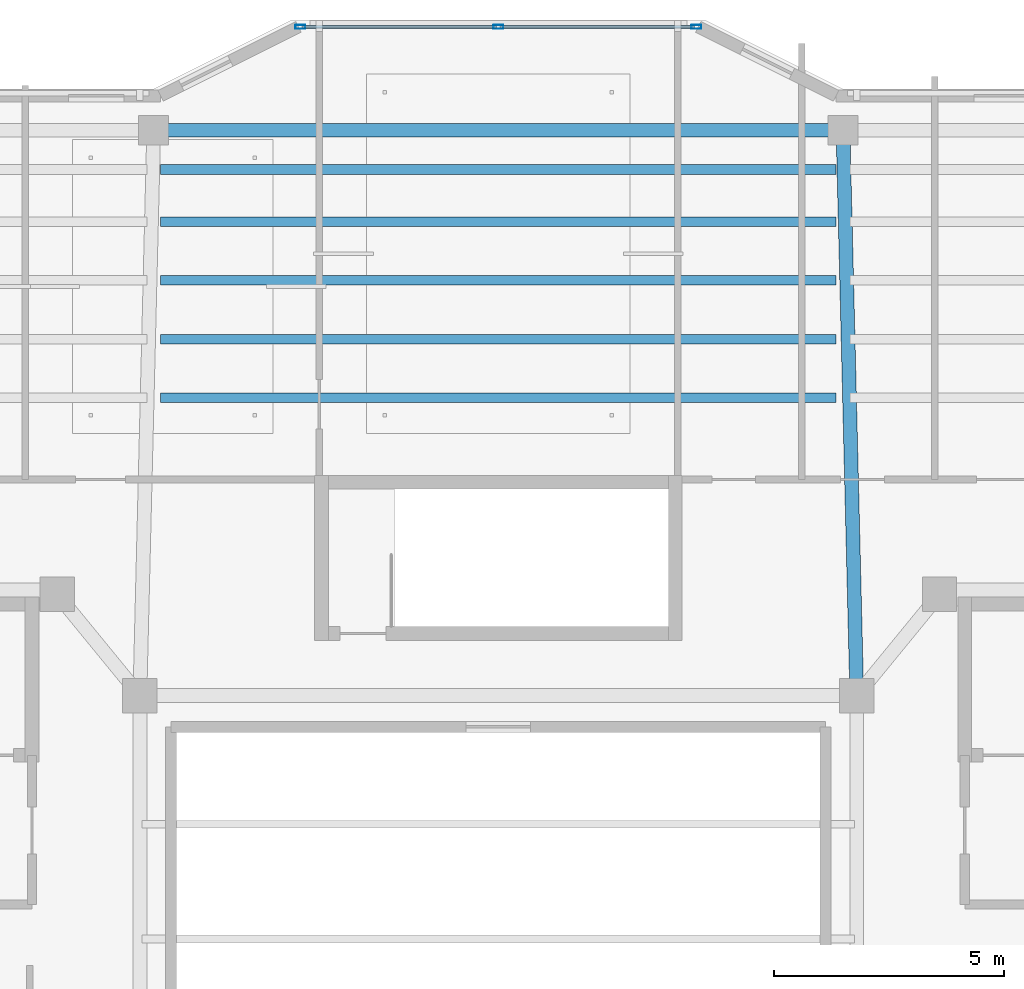
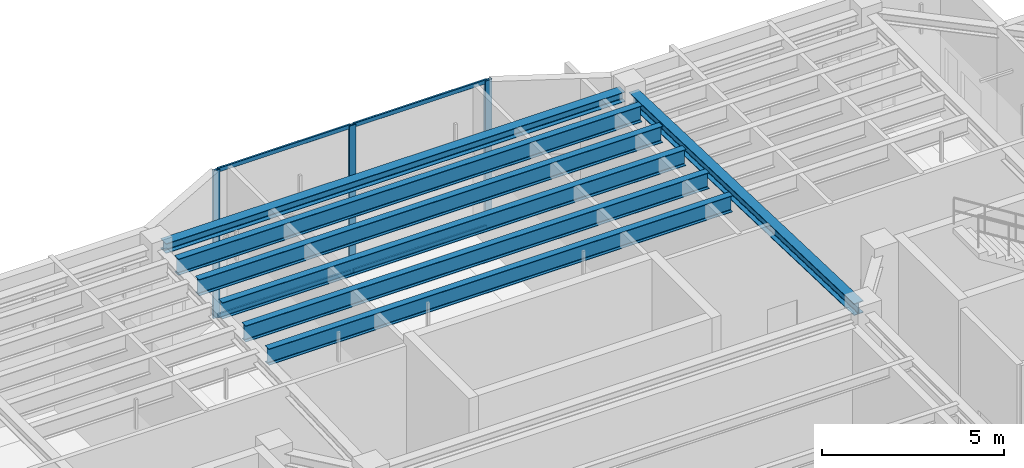
# One storey, part 11 of 23: 7 beams, 7 members, 1 element without a shape of its own.
"""IFC4 building model written with IfcOpenShell, lengths in metres."""

from ifc_helpers import new_model, si_unit, direction, frame, origin, origin_2d, place, context, subcontext, project, spatial, hollow_rectangle, i_section, extrude, material, layer, layer_set, material_profile, profile_set, type_object, element, aggregate, save


model = new_model("IFC4")

# Units and contexts
model_context = context("Model", 3, precision=1e-05, world=origin(), true_north=direction((0.0, 1.0)))
body_context = subcontext(model_context, "Body", "Model", "MODEL_VIEW")
ifc_project = project(units=[si_unit("LENGTHUNIT", "METRE"), si_unit("AREAUNIT", "SQUARE_METRE"), si_unit("VOLUMEUNIT", "CUBIC_METRE"), si_unit("PLANEANGLEUNIT", "RADIAN"), si_unit("MASSUNIT", "GRAM", prefix="KILO")], contexts=[model_context])

# Site, building, storey
site_placement = place(None, origin())
site = spatial("IfcSite", under=ifc_project, at=site_placement, CompositionType="ELEMENT")
building_placement = place(site_placement, origin())
building = spatial("IfcBuilding", under=site, at=building_placement, Name="Tarnavaz Court Tower", CompositionType="ELEMENT")
storey_placement = place(building_placement, frame((0.0, 0.0, 276.300048828125)))
storey = spatial("IfcBuildingStorey", under=building, at=storey_placement, Name="L75", CompositionType="ELEMENT", Elevation=276.300048828125)

# Beams
ifc_material_1 = material(Name="Steel S355", Category="steel")
ifc_material_profile_1 = material_profile(ifc_material_1, i_section(OverallWidth=0.300048828125, OverallDepth=0.39990234375, WebThickness=0.013427734375, FlangeThickness=0.02392578125, FilletRadius=0.027099609375, at=origin_2d()), Name="HEB 400")
ifc_profile_set_1 = profile_set([ifc_material_profile_1], Name="Steel S355")
beam_type_1 = type_object("IfcBeamType", Name="BM-G-HEB400", PredefinedType="USERDEFINED", material=ifc_profile_set_1)
beam_1_placement = place(storey_placement, frame((7.794677734375, 8.02001953125, 4.75), z_axis=(-0.024386002211, 0.99970261723, 0.0), x_axis=(-0.99970261723, -0.024386002211, 0.0)))
element("IfcBeam", 1, at=beam_1_placement, inside=storey, type_object=beam_type_1, Name="L75 Beam RG-03", ObjectType="GIRDER", PredefinedType="USERDEFINED", context=body_context, shape_type="SweptSolid", body=[
    extrude(i_section(OverallWidth=0.300048828125, OverallDepth=0.39990234375, WebThickness=0.013427734375, FlangeThickness=0.02392578125, FilletRadius=0.027099609375, at=origin_2d()), origin(), (0.0, 0.0, 1.0), 11.863525390625),
])
ifc_material_profile_2 = material_profile(ifc_material_1, i_section(OverallWidth=0.2099609375, OverallDepth=0.550048828125, WebThickness=0.010986328125, FlangeThickness=0.01708984375, FilletRadius=0.02392578125, at=origin_2d()), Name="IPE 550")
ifc_profile_set_2 = profile_set([ifc_material_profile_2], Name="Steel S355")
beam_type_2 = type_object("IfcBeamType", Name="BM-J-IPE550", PredefinedType="JOIST", material=ifc_profile_set_2)
for number, where, z_axis, x_axis, name in (
    (2, (-7.35009765625, 14.278076171875, 4.675048828125), (1.0, 0.0, 0.0), (0.0, 1.0, 0.0), "L75 Beam JN1-2"),
    (3, (-7.35009765625, 15.555908203125, 4.675048828125), (1.0, 0.0, 0.0), (0.0, 1.0, 0.0), "L75 Beam JN2-2"),
    (4, (-7.35009765625, 16.833984375, 4.675048828125), (1.0, 0.0, 0.0), (0.0, 1.0, 0.0), "L75 Beam JN3-2"),
    (5, (-7.35009765625, 18.112060546875, 4.675048828125), (1.0, 0.0, 0.0), (0.0, 1.0, 0.0), "L75 Beam JN4-2"),
    (6, (-7.35009765625, 19.248046875, 4.675048828125), (1.0, 0.0, 0.0), (0.0, 1.0, 0.0), "L75 Beam JN5-2"),
):
    element("IfcBeam", number, at=place(storey_placement, frame(where, z_axis=z_axis, x_axis=x_axis)), inside=storey, type_object=beam_type_2, Name=name, PredefinedType="JOIST", context=body_context, shape_type="SweptSolid", body=[
        extrude(i_section(OverallWidth=0.2099609375, OverallDepth=0.550048828125, WebThickness=0.010986328125, FlangeThickness=0.01708984375, FilletRadius=0.02392578125, at=origin_2d()), origin(), (0.0, 0.0, 1.0), 14.7001953125),
    ])
ifc_material_profile_3 = material_profile(ifc_material_1, i_section(OverallWidth=0.300048828125, OverallDepth=0.330078125, WebThickness=0.009521484375, FlangeThickness=0.0166015625, FilletRadius=0.027099609375, at=origin_2d()), Name="HEA 340")
ifc_profile_set_3 = profile_set([ifc_material_profile_3], Name="Steel S355")
beam_type_3 = type_object("IfcBeamType", Name="BM-SP-HEA340", PredefinedType="BEAM", material=ifc_profile_set_3)
beam_2_placement = place(storey_placement, frame((-7.280029296875, 20.10009765625, 4.784912109375), z_axis=(1.0, 0.0, 0.0), x_axis=(0.0, 1.0, 0.0)))
element("IfcBeam", 7, at=beam_2_placement, inside=storey, type_object=beam_type_3, Name="L75 Beam PR-PN-2-PN-3", PredefinedType="BEAM", context=body_context, shape_type="SweptSolid", body=[
    extrude(i_section(OverallWidth=0.300048828125, OverallDepth=0.330078125, WebThickness=0.009521484375, FlangeThickness=0.0166015625, FilletRadius=0.027099609375, at=origin_2d()), origin(), (0.0, 0.0, 1.0), 14.56005859375),
])

# Curtain wall, members
ifc_material_2 = material(Name="Anodised Aluminium 6063-T6 and Solar Low-E Glazing", Category="aluminium")
ifc_layer = layer(ifc_material_2, 0.2099609375)
ifc_layer_set = layer_set([ifc_layer], Name="Anodised Aluminium 6063-T6 and Solar Low-E Glazing")
curtain_wall_type = type_object("IfcCurtainWallType", Name="CW-SYS-06", PredefinedType="NOTDEFINED", material=ifc_layer_set)
curtain_wall_placement = place(storey_placement, origin())
curtain_wall = element("IfcCurtainWall", 8, at=curtain_wall_placement, inside=storey, type_object=curtain_wall_type, Name="L75 Observation Curtain Wall 7", PredefinedType="NOTDEFINED")
ifc_material_3 = material(Name="Anodised Aluminium 6063-T6", Category="aluminium")
ifc_material_profile_4 = material_profile(ifc_material_3, hollow_rectangle(XDim=0.0849609375, YDim=0.219970703125, WallThickness=0.006103515625, InnerFilletRadius=0.006103515625, OuterFilletRadius=0.011962890625, at=origin_2d()), Name="ALU RHS 220X85X6")
ifc_profile_set_4 = profile_set([ifc_material_profile_4], Name="Anodised Aluminium 6063-T6")
member_type_1 = type_object("IfcMemberType", Name="CW-MUL-220", PredefinedType="MULLION", material=ifc_profile_set_4)
member_1_placement = place(storey_placement, frame((-4.3076171875, 22.35009765625, 0.0), z_axis=(0.0, 0.0, 1.0), x_axis=(0.0, 1.0, 0.0)))
member_1 = element("IfcMember", 9, at=member_1_placement, type_object=member_type_1, Name="CW mullion 1", PredefinedType="MULLION", context=body_context, shape_type="SweptSolid", body=[
    extrude(hollow_rectangle(XDim=0.0849609375, YDim=0.219970703125, WallThickness=0.006103515625, InnerFilletRadius=0.006103515625, OuterFilletRadius=0.011962890625, at=origin_2d()), origin(), (0.0, 0.0, 1.0), 4.949951171875),
])
member_2_placement = place(storey_placement, frame((0.0, 22.35009765625, 0.0), z_axis=(0.0, 0.0, 1.0), x_axis=(0.0, 1.0, 0.0)))
member_2 = element("IfcMember", 10, at=member_2_placement, type_object=member_type_1, Name="CW mullion 2", PredefinedType="MULLION", context=body_context, shape_type="SweptSolid", body=[
    extrude(hollow_rectangle(XDim=0.0849609375, YDim=0.219970703125, WallThickness=0.006103515625, InnerFilletRadius=0.006103515625, OuterFilletRadius=0.011962890625, at=origin_2d()), origin(), (0.0, 0.0, 1.0), 4.949951171875),
])
member_3_placement = place(storey_placement, frame((4.3076171875, 22.35009765625, 0.0), z_axis=(0.0, 0.0, 1.0), x_axis=(0.0, 1.0, 0.0)))
member_3 = element("IfcMember", 11, at=member_3_placement, type_object=member_type_1, Name="CW mullion 3", PredefinedType="MULLION", context=body_context, shape_type="SweptSolid", body=[
    extrude(hollow_rectangle(XDim=0.0849609375, YDim=0.219970703125, WallThickness=0.006103515625, InnerFilletRadius=0.006103515625, OuterFilletRadius=0.011962890625, at=origin_2d()), origin(), (0.0, 0.0, 1.0), 4.949951171875),
])
ifc_material_profile_5 = material_profile(ifc_material_3, hollow_rectangle(XDim=0.06494140625, YDim=0.139892578125, WallThickness=0.00390625, InnerFilletRadius=0.00390625, OuterFilletRadius=0.008056640625, at=origin_2d()), Name="ALU RHS 140X65X4")
ifc_profile_set_5 = profile_set([ifc_material_profile_5], Name="Anodised Aluminium 6063-T6")
member_type_2 = type_object("IfcMemberType", Name="CW-TRN-140", PredefinedType="USERDEFINED", material=ifc_profile_set_5)
member_4_placement = place(storey_placement, frame((-4.264892578125, 22.35009765625, 0.032470703125), z_axis=(1.0, 0.0, 0.0), x_axis=(0.0, 1.0, 0.0)))
member_4 = element("IfcMember", 12, at=member_4_placement, type_object=member_type_2, Name="CW transom 1.1", ObjectType="TRANSOM", PredefinedType="USERDEFINED", context=body_context, shape_type="SweptSolid", body=[
    extrude(hollow_rectangle(XDim=0.06494140625, YDim=0.139892578125, WallThickness=0.00390625, InnerFilletRadius=0.00390625, OuterFilletRadius=0.008056640625, at=origin_2d()), origin(), (0.0, 0.0, 1.0), 4.222412109375),
])
member_5_placement = place(storey_placement, frame((-4.264892578125, 22.35009765625, 4.91748046875), z_axis=(1.0, 0.0, 0.0), x_axis=(0.0, 1.0, 0.0)))
member_5 = element("IfcMember", 13, at=member_5_placement, type_object=member_type_2, Name="CW transom 1.2", ObjectType="TRANSOM", PredefinedType="USERDEFINED", context=body_context, shape_type="SweptSolid", body=[
    extrude(hollow_rectangle(XDim=0.06494140625, YDim=0.139892578125, WallThickness=0.00390625, InnerFilletRadius=0.00390625, OuterFilletRadius=0.008056640625, at=origin_2d()), origin(), (0.0, 0.0, 1.0), 4.222412109375),
])
member_6_placement = place(storey_placement, frame((0.04248046875, 22.35009765625, 0.032470703125), z_axis=(1.0, 0.0, 0.0), x_axis=(0.0, 1.0, 0.0)))
member_6 = element("IfcMember", 14, at=member_6_placement, type_object=member_type_2, Name="CW transom 2.1", ObjectType="TRANSOM", PredefinedType="USERDEFINED", context=body_context, shape_type="SweptSolid", body=[
    extrude(hollow_rectangle(XDim=0.06494140625, YDim=0.139892578125, WallThickness=0.00390625, InnerFilletRadius=0.00390625, OuterFilletRadius=0.008056640625, at=origin_2d()), origin(), (0.0, 0.0, 1.0), 4.222412109375),
])
member_7_placement = place(storey_placement, frame((0.04248046875, 22.35009765625, 4.91748046875), z_axis=(1.0, 0.0, 0.0), x_axis=(0.0, 1.0, 0.0)))
member_7 = element("IfcMember", 15, at=member_7_placement, type_object=member_type_2, Name="CW transom 2.2", ObjectType="TRANSOM", PredefinedType="USERDEFINED", context=body_context, shape_type="SweptSolid", body=[
    extrude(hollow_rectangle(XDim=0.06494140625, YDim=0.139892578125, WallThickness=0.00390625, InnerFilletRadius=0.00390625, OuterFilletRadius=0.008056640625, at=origin_2d()), origin(), (0.0, 0.0, 1.0), 4.222412109375),
])
aggregate(curtain_wall, [member_1, member_2, member_3, member_4, member_5, member_6, member_7])

save(model, "model.ifc")
